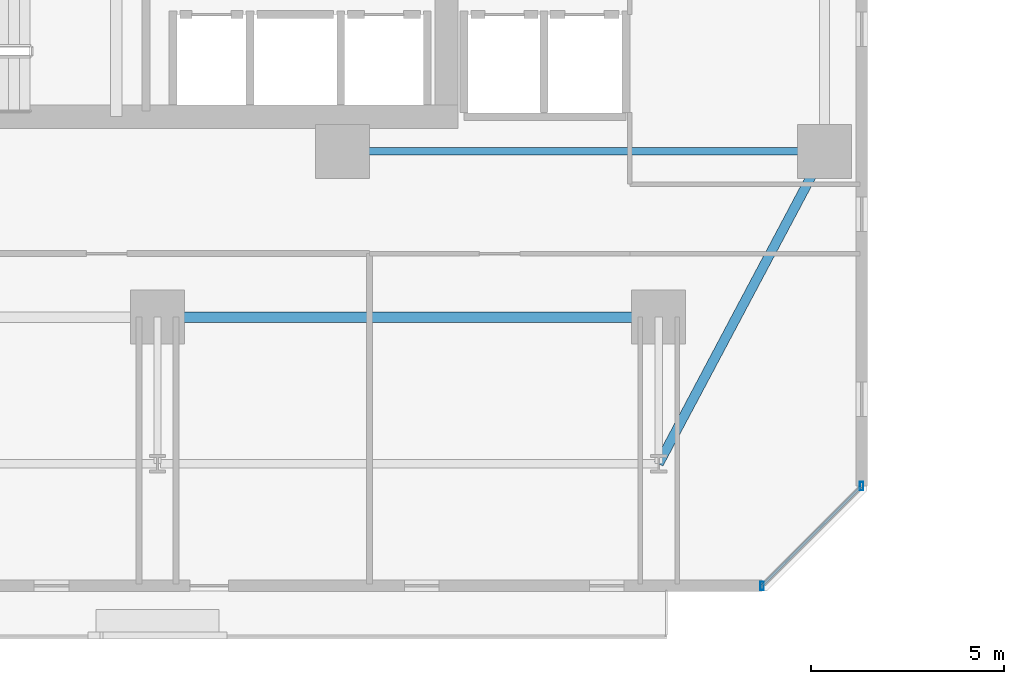
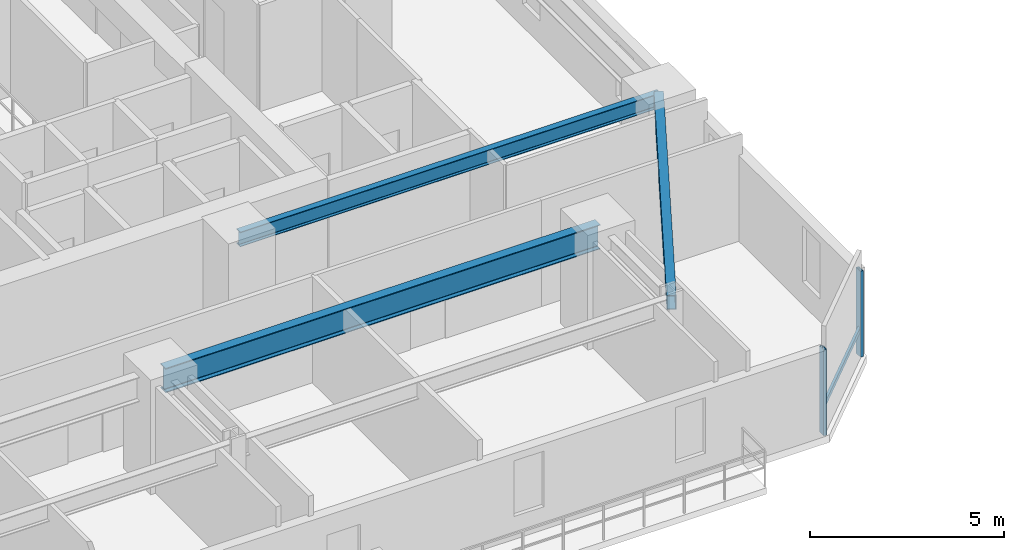
# One storey, part 5 of 33: 3 beams, 3 members, 1 element without a shape of its own.
"""IFC4 building model written with IfcOpenShell, lengths in metres."""

from ifc_helpers import new_model, si_unit, direction, frame, origin, origin_2d, place, context, subcontext, project, spatial, hollow_rectangle, i_section, extrude, material, material_profile, profile_set, type_object, element, aggregate, save


model = new_model("IFC4")

# Units and contexts
model_context = context("Model", 3, precision=1e-05, world=origin(), true_north=direction((0.0, 1.0)))
body_context = subcontext(model_context, "Body", "Model", "MODEL_VIEW")
ifc_project = project(units=[si_unit("LENGTHUNIT", "METRE"), si_unit("AREAUNIT", "SQUARE_METRE"), si_unit("VOLUMEUNIT", "CUBIC_METRE"), si_unit("PLANEANGLEUNIT", "RADIAN"), si_unit("MASSUNIT", "GRAM", prefix="KILO")], contexts=[model_context])

# Site, building, storey
site_placement = place(None, origin())
site = spatial("IfcSite", under=ifc_project, at=site_placement, CompositionType="ELEMENT")
building_placement = place(site_placement, origin())
building = spatial("IfcBuilding", under=site, at=building_placement, Name="Thornwick Lancets Civic Towers", CompositionType="ELEMENT")
storey_placement = place(building_placement, frame((0.0, 0.0, 42.300048828125)))
storey = spatial("IfcBuildingStorey", under=building, at=storey_placement, Name="L10", CompositionType="ELEMENT", Elevation=42.300048828125)

# Beams
ifc_material_1 = material(Name="Steel S355JR", Category="steel")
ifc_material_profile_1 = material_profile(ifc_material_1, i_section(OverallWidth=0.26806640625, OverallDepth=0.769775390625, WebThickness=0.015625, FlangeThickness=0.025390625, FilletRadius=0.0166015625, at=origin_2d()), Name="UKB 762x267x197")
ifc_profile_set_1 = profile_set([ifc_material_profile_1], Name="Steel S355JR")
beam_type_1 = type_object("IfcBeamType", Name="BM_GIRD_762_197", PredefinedType="BEAM", material=ifc_profile_set_1)
beam_1_placement = place(storey_placement, frame((25.580078125, 9.699951171875, 2.97509765625), z_axis=(1.0, 0.0, 0.0), x_axis=(0.0, 1.0, 0.0)))
element("IfcBeam", 1, at=beam_1_placement, inside=storey, type_object=beam_type_1, Name="BM-SPINE-L10-A-1-2", PredefinedType="BEAM", context=body_context, shape_type="SweptSolid", body=[
    extrude(i_section(OverallWidth=0.26806640625, OverallDepth=0.769775390625, WebThickness=0.015625, FlangeThickness=0.025390625, FilletRadius=0.0166015625, at=origin_2d()), origin(), (0.0, 0.0, 1.0), 12.919921875),
])
ifc_material_profile_2 = material_profile(ifc_material_1, i_section(OverallWidth=0.19189453125, OverallDepth=0.46337890625, WebThickness=0.010498046875, FlangeThickness=0.017578125, FilletRadius=0.01025390625, at=origin_2d()), Name="UKB 457x191x89")
ifc_profile_set_2 = profile_set([ifc_material_profile_2], Name="Steel S355JR")
beam_type_2 = type_object("IfcBeamType", Name="BM_JOIST_457_89", PredefinedType="JOIST", material=ifc_profile_set_2)
beam_2_placement = place(storey_placement, frame((30.300048828125, 14.0, 3.128173828125), z_axis=(1.0, 0.0, 0.0), x_axis=(0.0, 1.0, 0.0)))
element("IfcBeam", 2, at=beam_2_placement, inside=storey, type_object=beam_type_2, Name="BM-RADIN-L10-A04", PredefinedType="JOIST", context=body_context, shape_type="SweptSolid", body=[
    extrude(i_section(OverallWidth=0.19189453125, OverallDepth=0.46337890625, WebThickness=0.010498046875, FlangeThickness=0.017578125, FilletRadius=0.01025390625, at=origin_2d()), origin(), (0.0, 0.0, 1.0), 12.5),
])
ifc_material_profile_3 = material_profile(ifc_material_1, hollow_rectangle(XDim=0.25, YDim=0.449951171875, WallThickness=0.01611328125, at=origin_2d()), Name="RHS 450x250x16")
ifc_profile_set_3 = profile_set([ifc_material_profile_3], Name="Steel S355JR")
beam_type_3 = type_object("IfcBeamType", Name="BM_RING_RHS450", PredefinedType="BEAM", material=ifc_profile_set_3)
beam_3_placement = place(storey_placement, frame((38.5, 5.89990234375, 3.135009765625), z_axis=(0.468889189758, 0.883256999818, 0.0), x_axis=(-0.883256999818, 0.468889189758, 0.0)))
element("IfcBeam", 3, at=beam_3_placement, inside=storey, type_object=beam_type_3, Name="BM-CHAMF-L10-A-C0", PredefinedType="BEAM", context=body_context, shape_type="SweptSolid", body=[
    extrude(hollow_rectangle(XDim=0.25, YDim=0.449951171875, WallThickness=0.01611328125, at=origin_2d()), origin(), (0.0, 0.0, 1.0), 9.170654296875),
])

# Curtain wall, members
ifc_material_2 = material(Name="Low-zone chamfered-corner unitised glass curtain wall", Category="glass")
curtain_wall_type = type_object("IfcCurtainWallType", Name="CW_SYS_03", PredefinedType="NOTDEFINED", material=ifc_material_2)
curtain_wall_placement = place(storey_placement, origin())
curtain_wall = element("IfcCurtainWall", 4, at=curtain_wall_placement, inside=storey, type_object=curtain_wall_type, Name="L10 Curtain Wall CW-L10-A-E1", PredefinedType="NOTDEFINED")
ifc_material_3 = material(Name="Thermally broken bronze aluminium S355", Category="steel")
ifc_material_profile_4 = material_profile(ifc_material_3, hollow_rectangle(XDim=0.090087890625, YDim=0.219970703125, WallThickness=0.00634765625, at=origin_2d()), Name="RHS 220x90x6.3")
ifc_profile_set_4 = profile_set([ifc_material_profile_4], Name="Thermally broken bronze aluminium S355")
member_type_1 = type_object("IfcMemberType", Name="CW_MUL_220", PredefinedType="MULLION", material=ifc_profile_set_4)
member_1_placement = place(storey_placement, frame((41.18115234375, 2.735107421875, 0.0), z_axis=(0.0, 0.0, 1.0), x_axis=(1.0, 0.0, 0.0)))
member_1 = element("IfcMember", 5, at=member_1_placement, type_object=member_type_1, Name="CW-L10-A-E1 Mullion 0", PredefinedType="MULLION", context=body_context, shape_type="SweptSolid", body=[
    extrude(hollow_rectangle(XDim=0.090087890625, YDim=0.219970703125, WallThickness=0.00634765625, at=origin_2d()), origin(), (0.0, 0.0, 1.0), 2.699951171875),
])
member_2_placement = place(storey_placement, frame((43.764892578125, 5.31884765625, 0.0), z_axis=(0.0, 0.0, 1.0), x_axis=(1.0, 0.0, 0.0)))
member_2 = element("IfcMember", 6, at=member_2_placement, type_object=member_type_1, Name="CW-L10-A-E1 Mullion 1", PredefinedType="MULLION", context=body_context, shape_type="SweptSolid", body=[
    extrude(hollow_rectangle(XDim=0.090087890625, YDim=0.219970703125, WallThickness=0.00634765625, at=origin_2d()), origin(), (0.0, 0.0, 1.0), 2.699951171875),
])
ifc_material_profile_5 = material_profile(ifc_material_3, hollow_rectangle(XDim=0.074951171875, YDim=0.14990234375, WallThickness=0.0048828125, at=origin_2d()), Name="RHS 150x75x5")
ifc_profile_set_5 = profile_set([ifc_material_profile_5], Name="Thermally broken bronze aluminium S355")
member_type_2 = type_object("IfcMemberType", Name="CW_TRN_150", PredefinedType="USERDEFINED", material=ifc_profile_set_5)
member_3_placement = place(storey_placement, frame((41.1953125, 2.749267578125, 0.849853515625), z_axis=(0.707106781187, 0.707106781187, 0.0), x_axis=(-0.707106781187, 0.707106781187, 0.0)))
member_3 = element("IfcMember", 7, at=member_3_placement, type_object=member_type_2, Name="CW-L10-A-E1 Transom 0", ObjectType="TRANSOM", PredefinedType="USERDEFINED", context=body_context, shape_type="SweptSolid", body=[
    extrude(hollow_rectangle(XDim=0.074951171875, YDim=0.14990234375, WallThickness=0.0048828125, at=origin_2d()), origin(), (0.0, 0.0, 1.0), 3.614013671875),
])
aggregate(curtain_wall, [member_1, member_2, member_3])

save(model, "model.ifc")
